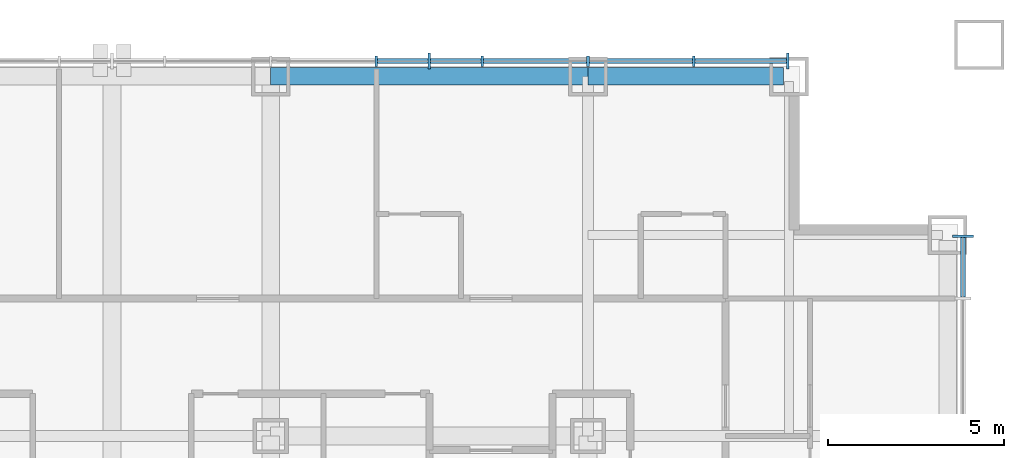
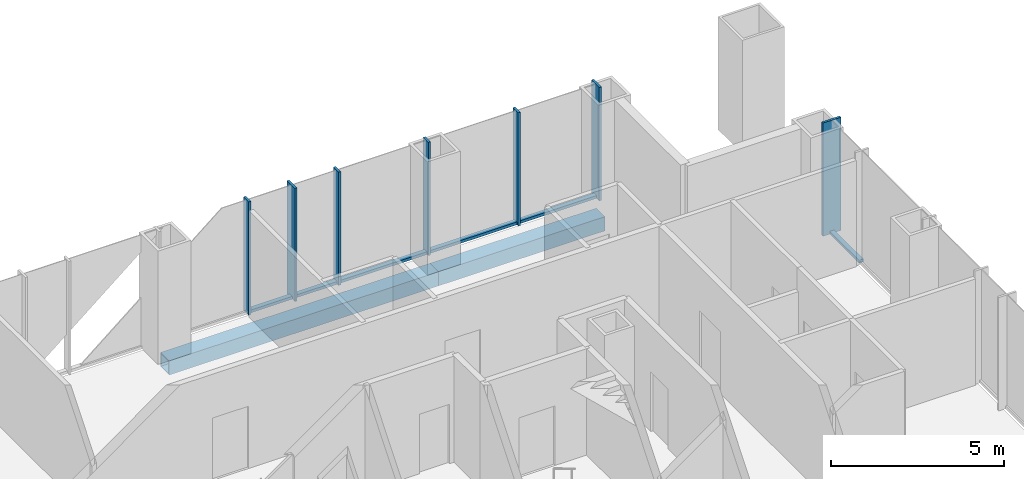
# One storey, part 6 of 17: 13 members, 2 beams, 2 elements without a shape of their own.
"""IFC4 building model written with IfcOpenShell, lengths in metres."""

import ifcopenshell
import ifcopenshell.guid

model = None  # the IFC model being written
_history = None  # IfcOwnerHistory: only IFC2X3 demands one
_inside = {}  # id of a spatial element -> (the spatial element, [elements in it])
_under = {}  # id of a project, library or spatial element -> (it, [spatial elements below it])
_declared = {}  # id of a project -> (the project, [libraries it declares])
_typed = {}  # id of a type object -> (the type object, [elements of that type])
_made_of = {}  # id of a material, layer set ... -> (it, [elements and type objects made of it])


def new_model(schema):
    """Start an empty IFC model of exactly this schema.

    Asked for "IFC4X3", IfcOpenShell would pick the latest addendum, in which some entities
    have other attributes; the version numbers below select the first issue.
    IFC2X3 requires an IfcOwnerHistory on every rooted entity: one is made here for all.
    """
    global model, _history
    if schema == "IFC4X3":
        model = ifcopenshell.file(schema_version=(4, 3, 0, 0))
    else:
        model = ifcopenshell.file(schema=schema)
    _inside.clear()
    _under.clear()
    _declared.clear()
    _typed.clear()
    _made_of.clear()
    _history = None
    if model.schema == "IFC2X3":
        org = make("IfcOrganization", Name="unknown")
        user = make(
            "IfcPersonAndOrganization",
            ThePerson=make("IfcPerson", FamilyName="unknown"),
            TheOrganization=org,
        )
        app = make(
            "IfcApplication",
            ApplicationDeveloper=org,
            Version="unknown",
            ApplicationFullName="unknown",
            ApplicationIdentifier="unknown",
        )
        _history = make(
            "IfcOwnerHistory",
            OwningUser=user,
            OwningApplication=app,
            ChangeAction="ADDED",
            CreationDate=0,
        )
    return model


def make(cls, **values):
    """One entity of the class cls with the attributes given. An attribute that is None is left unset."""
    return model.create_entity(
        cls, **{name: value for name, value in values.items() if value is not None}
    )


def rooted(cls, **values):
    """An entity with a GlobalId (a new one), such as an element, a storey or a relation."""
    return make(cls, GlobalId=ifcopenshell.guid.new(), OwnerHistory=_history, **values)


def si_unit(unit_type, name, prefix=None):
    """IfcSIUnit, for example si_unit("LENGTHUNIT", "METRE", prefix="MILLI")."""
    return make("IfcSIUnit", UnitType=unit_type, Prefix=prefix, Name=name)


def assignment(units):
    """IfcUnitAssignment: the units of a project."""
    return None if units is None else make("IfcUnitAssignment", Units=units)


def point(xyz):
    """IfcCartesianPoint."""
    return None if xyz is None else make("IfcCartesianPoint", Coordinates=xyz)


def direction(xyz):
    """IfcDirection."""
    return None if xyz is None else make("IfcDirection", DirectionRatios=xyz)


def frame(location, z_axis=None, x_axis=None):
    """IfcAxis2Placement3D, a coordinate frame: its origin and axes. An axis left out is left unset."""
    return make(
        "IfcAxis2Placement3D",
        Location=point(location),
        Axis=direction(z_axis),
        RefDirection=direction(x_axis),
    )


def frame_2d(location, x_axis=None):
    """IfcAxis2Placement2D, a coordinate frame in the plane: its origin and x axis."""
    return make(
        "IfcAxis2Placement2D", Location=point(location), RefDirection=direction(x_axis)
    )


def origin():
    """The frame at (0, 0, 0) with its axes left unset."""
    return frame((0.0, 0.0, 0.0))


def origin_2d():
    """The frame at (0, 0) in the plane with its x axis left unset."""
    return frame_2d((0.0, 0.0))


def place(relative_to, where):
    """IfcLocalPlacement: puts the frame where relative to a parent placement (None: the world)."""
    return make(
        "IfcLocalPlacement", PlacementRelTo=relative_to, RelativePlacement=where
    )


def context(
    kind, dimensions, precision=None, world=None, true_north=None, identifier=None
):
    """IfcGeometricRepresentationContext, for example the 3D "Model" context."""
    return make(
        "IfcGeometricRepresentationContext",
        ContextIdentifier=identifier,
        ContextType=kind,
        CoordinateSpaceDimension=dimensions,
        Precision=precision,
        WorldCoordinateSystem=world,
        TrueNorth=true_north,
    )


def subcontext(parent, identifier, kind, view, scale=None):
    """IfcGeometricRepresentationSubContext, for example "Body" below "Model"."""
    return make(
        "IfcGeometricRepresentationSubContext",
        ContextIdentifier=identifier,
        ContextType=kind,
        ParentContext=parent,
        TargetScale=scale,
        TargetView=view,
    )


def project(units=None, contexts=None):
    """IfcProject with its units and contexts."""
    return rooted(
        "IfcProject",
        Name="project",
        RepresentationContexts=contexts,
        UnitsInContext=assignment(units),
    )


def spatial(cls, under=None, at=None, **own):
    """A site, building, storey or space (cls), placed at a placement, below another one or the project."""
    s = rooted(cls, ObjectPlacement=at, **own)
    if under is not None:
        _under.setdefault(under.id(), (under, []))[1].append(s)
    return s


def profile(cls, at=None, kind="AREA", **sizes):
    """A parametric profile (cls). Its sizes go by their IFC names, for example OverallWidth=200.0."""
    return make(cls, ProfileType=kind, Position=at, **sizes)


def rectangle(**sizes):
    """IfcRectangleProfileDef."""
    return profile("IfcRectangleProfileDef", **sizes)


def hollow_rectangle(**sizes):
    """IfcRectangleHollowProfileDef."""
    return profile("IfcRectangleHollowProfileDef", **sizes)


def extrude(swept, where, along, depth):
    """IfcExtrudedAreaSolid: the profile swept, set in the frame where, extruded along a direction by depth."""
    return make(
        "IfcExtrudedAreaSolid",
        SweptArea=swept,
        Position=where,
        ExtrudedDirection=direction(along),
        Depth=depth,
    )


def shape(context_of_items, identifier, shape_type, items):
    """IfcShapeRepresentation: the items that make up one representation, for example the "Body"."""
    return make(
        "IfcShapeRepresentation",
        ContextOfItems=context_of_items,
        RepresentationIdentifier=identifier,
        RepresentationType=shape_type,
        Items=items,
    )


def material(Name=None, Category=None):
    """IfcMaterial."""
    return make("IfcMaterial", Name=Name, Category=Category)


def layer(
    of_material, thickness, ventilated=None, Name=None, Category=None, Priority=None
):
    """IfcMaterialLayer: one layer of a wall or slab, of a material (None: an air gap)."""
    return make(
        "IfcMaterialLayer",
        Material=of_material,
        LayerThickness=thickness,
        IsVentilated=ventilated,
        Name=Name,
        Category=Category,
        Priority=Priority,
    )


def layer_set(layers, Name=None):
    """IfcMaterialLayerSet."""
    return make("IfcMaterialLayerSet", MaterialLayers=layers, LayerSetName=Name)


def material_profile(
    of_material, cross_section, Name=None, Category=None, Priority=None
):
    """IfcMaterialProfile: a cross section and its material."""
    return make(
        "IfcMaterialProfile",
        Name=Name,
        Material=of_material,
        Profile=cross_section,
        Priority=Priority,
        Category=Category,
    )


def profile_set(profiles, Name=None, composite=None):
    """IfcMaterialProfileSet."""
    return make(
        "IfcMaterialProfileSet",
        Name=Name,
        MaterialProfiles=profiles,
        CompositeProfile=composite,
    )


def made_of(thing, what):
    """Note that an element or type object is made of a material, layer set ...; save() writes the relation."""
    if what is not None:
        _made_of.setdefault(what.id(), (what, []))[1].append(thing)
    return thing


def type_object(cls, material=None, **own):
    """A type object (cls), such as IfcWallType, which elements share."""
    return made_of(rooted(cls, **own), material)


def element(
    cls,
    number,
    at=None,
    inside=None,
    cuts=None,
    type_object=None,
    material=None,
    context=None,
    identifier="Body",
    shape_type=None,
    held_by="IfcProductDefinitionShape",
    body=None,
    shapes=None,
    **own,
):
    """One element of the class cls, such as IfcWall. Its Tag is "e" and its number.

    at: its placement. inside: the storey or other place that contains it. cuts: it is an
    opening in that element (IfcRelVoidsElement). A single representation is given by context,
    identifier, shape_type and body (its items); several are given by shapes. held_by: the class
    of the entity that holds the representations. save() writes the other relations.
    """
    e = rooted(cls, Tag="e%d" % number, ObjectPlacement=at, **own)
    if body is not None:
        shapes = [shape(context, identifier, shape_type, body)]
    if shapes is not None:
        e.Representation = make(held_by, Representations=shapes)
    if inside is not None:
        _inside.setdefault(inside.id(), (inside, []))[1].append(e)
    if cuts is not None:
        rooted(
            "IfcRelVoidsElement", RelatingBuildingElement=cuts, RelatedOpeningElement=e
        )
    if type_object is not None:
        _typed.setdefault(type_object.id(), (type_object, []))[1].append(e)
    return made_of(e, material)


def aggregate(whole, parts):
    """IfcRelAggregates: a whole, such as a stair, and the parts it consists of."""
    return rooted("IfcRelAggregates", RelatingObject=whole, RelatedObjects=parts)


def save(model, path):
    """Write the relations noted so far, then the file.

    IfcRelAggregates (storeys below a building ...), IfcRelContainedInSpatialStructure (elements
    in a storey), IfcRelDefinesByType, IfcRelAssociatesMaterial and IfcRelDeclares: one each for
    every whole, place, type object, material and project.
    """
    for whole, parts in _under.values():
        aggregate(whole, parts)
    for where, things in _inside.values():
        rooted(
            "IfcRelContainedInSpatialStructure",
            RelatedElements=things,
            RelatingStructure=where,
        )
    for kind, things in _typed.values():
        rooted("IfcRelDefinesByType", RelatedObjects=things, RelatingType=kind)
    for what, things in _made_of.values():
        rooted("IfcRelAssociatesMaterial", RelatedObjects=things, RelatingMaterial=what)
    for by, libraries in _declared.values():
        rooted("IfcRelDeclares", RelatingContext=by, RelatedDefinitions=libraries)
    model.write(path)


model = new_model("IFC4")

# Units and contexts
model_context = context("Model", 3, precision=1e-05, world=origin(), true_north=direction((0.0, 1.0)))
body_context = subcontext(model_context, "Body", "Model", "MODEL_VIEW")
ifc_project = project(units=[si_unit("LENGTHUNIT", "METRE"), si_unit("AREAUNIT", "SQUARE_METRE"), si_unit("VOLUMEUNIT", "CUBIC_METRE"), si_unit("PLANEANGLEUNIT", "RADIAN"), si_unit("MASSUNIT", "GRAM", prefix="KILO")], contexts=[model_context])

# Site, building, storey
site_placement = place(None, origin())
site = spatial("IfcSite", under=ifc_project, at=site_placement, CompositionType="ELEMENT")
building_placement = place(site_placement, origin())
building = spatial("IfcBuilding", under=site, at=building_placement, Name="Malebo Sky Hospital", CompositionType="ELEMENT")
storey_placement = place(building_placement, frame((0.0, 0.0, 120.0)))
storey = spatial("IfcBuildingStorey", under=building, at=storey_placement, Name="L28", CompositionType="ELEMENT", Elevation=120.0)

# Curtain wall, members
ifc_material_1 = material(Name="Anodised aluminium, natural silver", Category="aluminium")
ifc_layer_1 = layer(ifc_material_1, 0.25)
ifc_layer_set_1 = layer_set([ifc_layer_1], Name="WARD CURTAIN WALL NORTH AND SOUTH")
curtain_wall_type_1 = type_object("IfcCurtainWallType", Name="WARD CURTAIN WALL NORTH AND SOUTH", PredefinedType="NOTDEFINED", material=ifc_layer_set_1)
curtain_wall_1_placement = place(storey_placement, origin())
curtain_wall_1 = element("IfcCurtainWall", 1, at=curtain_wall_1_placement, inside=storey, type_object=curtain_wall_type_1, Name="NS curtain wall N", PredefinedType="NOTDEFINED")
ifc_material_profile_1 = material_profile(ifc_material_1, rectangle(XDim=0.14990234375, YDim=0.10009765625, at=origin_2d()), Name="ALUMINIUM TRANSOM 150x100")
ifc_profile_set_1 = profile_set([ifc_material_profile_1], Name="Anodised aluminium, natural silver")
member_type_1 = type_object("IfcMemberType", Name="ALUMINIUM TRANSOM 150x100", PredefinedType="USERDEFINED", material=ifc_profile_set_1)
member_1_placement = place(storey_placement, frame((67.53759765625, 86.135009765625, 0.050048828125), z_axis=(1.0, 0.0, 0.0), x_axis=(0.0, 1.0, 0.0)))
member_1 = element("IfcMember", 2, at=member_1_placement, type_object=member_type_1, Name="Transom 12", ObjectType="TRANSOM", PredefinedType="USERDEFINED", context=body_context, shape_type="SweptSolid", body=[
    extrude(rectangle(XDim=0.14990234375, YDim=0.10009765625, at=origin_2d()), origin(), (0.0, 0.0, 1.0), 1.4248046875),
])
member_2_placement = place(storey_placement, frame((69.03759765625, 86.135009765625, 0.050048828125), z_axis=(1.0, 0.0, 0.0), x_axis=(0.0, 1.0, 0.0)))
member_2 = element("IfcMember", 3, at=member_2_placement, type_object=member_type_1, Name="Transom 13", ObjectType="TRANSOM", PredefinedType="USERDEFINED", context=body_context, shape_type="SweptSolid", body=[
    extrude(rectangle(XDim=0.14990234375, YDim=0.10009765625, at=origin_2d()), origin(), (0.0, 0.0, 1.0), 1.4248046875),
])
member_3_placement = place(storey_placement, frame((70.53759765625, 86.135009765625, 0.050048828125), z_axis=(1.0, 0.0, 0.0), x_axis=(0.0, 1.0, 0.0)))
member_3 = element("IfcMember", 4, at=member_3_placement, type_object=member_type_1, Name="Transom 14", ObjectType="TRANSOM", PredefinedType="USERDEFINED", context=body_context, shape_type="SweptSolid", body=[
    extrude(rectangle(XDim=0.14990234375, YDim=0.10009765625, at=origin_2d()), origin(), (0.0, 0.0, 1.0), 2.9248046875),
])
member_4_placement = place(storey_placement, frame((73.53759765625, 86.135009765625, 0.050048828125), z_axis=(1.0, 0.0, 0.0), x_axis=(0.0, 1.0, 0.0)))
member_4 = element("IfcMember", 5, at=member_4_placement, type_object=member_type_1, Name="Transom 15", ObjectType="TRANSOM", PredefinedType="USERDEFINED", context=body_context, shape_type="SweptSolid", body=[
    extrude(rectangle(XDim=0.14990234375, YDim=0.10009765625, at=origin_2d()), origin(), (0.0, 0.0, 1.0), 2.9248046875),
])
member_5_placement = place(storey_placement, frame((76.53759765625, 86.135009765625, 0.050048828125), z_axis=(1.0, 0.0, 0.0), x_axis=(0.0, 1.0, 0.0)))
member_5 = element("IfcMember", 6, at=member_5_placement, type_object=member_type_1, Name="Transom 16", ObjectType="TRANSOM", PredefinedType="USERDEFINED", context=body_context, shape_type="SweptSolid", body=[
    extrude(rectangle(XDim=0.14990234375, YDim=0.10009765625, at=origin_2d()), origin(), (0.0, 0.0, 1.0), 2.58740234375),
])

# Curtain wall, member
ifc_layer_2 = layer(ifc_material_1, 0.25)
ifc_layer_set_2 = layer_set([ifc_layer_2], Name="WARD CURTAIN WALL EAST AND WEST")
curtain_wall_type_2 = type_object("IfcCurtainWallType", Name="WARD CURTAIN WALL EAST AND WEST", PredefinedType="NOTDEFINED", material=ifc_layer_set_2)
curtain_wall_2_placement = place(storey_placement, origin())
curtain_wall_2 = element("IfcCurtainWall", 7, at=curtain_wall_2_placement, inside=storey, type_object=curtain_wall_type_2, Name="EW curtain wall E", PredefinedType="NOTDEFINED")
member_6_placement = place(storey_placement, frame((84.135009765625, 81.125, 0.050048828125), z_axis=(0.0, -1.0, 0.0), x_axis=(1.0, 0.0, 0.0)))
member_6 = element("IfcMember", 8, at=member_6_placement, type_object=member_type_1, Name="Transom 1", ObjectType="TRANSOM", PredefinedType="USERDEFINED", context=body_context, shape_type="SweptSolid", body=[
    extrude(rectangle(XDim=0.14990234375, YDim=0.10009765625, at=origin_2d()), origin(), (0.0, 0.0, 1.0), 1.6875),
])

# Member
ifc_material_profile_2 = material_profile(ifc_material_1, rectangle(XDim=0.074951171875, YDim=0.300048828125, at=origin_2d()), Name="CW1 ALUMINIUM FIN MULLION 75x300")
ifc_profile_set_2 = profile_set([ifc_material_profile_2], Name="Anodised aluminium, natural silver")
member_type_2 = type_object("IfcMemberType", Name="CW1 ALUMINIUM FIN MULLION 75x300", PredefinedType="MULLION", material=ifc_profile_set_2)
member_7_placement = place(storey_placement, frame((67.5, 86.135009765625, 0.0), z_axis=(0.0, 0.0, 1.0), x_axis=(1.0, 0.0, 0.0)))
member_7 = element("IfcMember", 9, at=member_7_placement, type_object=member_type_2, Name="Fin mullion 12", PredefinedType="MULLION", context=body_context, shape_type="SweptSolid", body=[
    extrude(rectangle(XDim=0.074951171875, YDim=0.300048828125, at=origin_2d()), origin(), (0.0, 0.0, 1.0), 4.0),
])

member_8_placement = place(storey_placement, frame((70.5, 86.135009765625, 0.0), z_axis=(0.0, 0.0, 1.0), x_axis=(1.0, 0.0, 0.0)))
member_8 = element("IfcMember", 10, at=member_8_placement, type_object=member_type_2, Name="Fin mullion 14", PredefinedType="MULLION", context=body_context, shape_type="SweptSolid", body=[
    extrude(rectangle(XDim=0.074951171875, YDim=0.300048828125, at=origin_2d()), origin(), (0.0, 0.0, 1.0), 4.0),
])

member_9_placement = place(storey_placement, frame((73.5, 86.135009765625, 0.0), z_axis=(0.0, 0.0, 1.0), x_axis=(1.0, 0.0, 0.0)))
member_9 = element("IfcMember", 11, at=member_9_placement, type_object=member_type_2, Name="Fin mullion 15", PredefinedType="MULLION", context=body_context, shape_type="SweptSolid", body=[
    extrude(rectangle(XDim=0.074951171875, YDim=0.300048828125, at=origin_2d()), origin(), (0.0, 0.0, 1.0), 4.0),
])

member_10_placement = place(storey_placement, frame((76.5, 86.135009765625, 0.0), z_axis=(0.0, 0.0, 1.0), x_axis=(1.0, 0.0, 0.0)))
member_10 = element("IfcMember", 12, at=member_10_placement, type_object=member_type_2, Name="Fin mullion 16", PredefinedType="MULLION", context=body_context, shape_type="SweptSolid", body=[
    extrude(rectangle(XDim=0.074951171875, YDim=0.300048828125, at=origin_2d()), origin(), (0.0, 0.0, 1.0), 4.0),
])

ifc_material_profile_3 = material_profile(ifc_material_1, rectangle(XDim=0.074951171875, YDim=0.449951171875, at=origin_2d()), Name="CW1 ALUMINIUM FIN MULLION 75x450")
ifc_profile_set_3 = profile_set([ifc_material_profile_3], Name="Anodised aluminium, natural silver")
member_type_3 = type_object("IfcMemberType", Name="CW1 ALUMINIUM FIN MULLION 75x450", PredefinedType="MULLION", material=ifc_profile_set_3)
member_11_placement = place(storey_placement, frame((69.0, 86.135009765625, 0.0), z_axis=(0.0, 0.0, 1.0), x_axis=(1.0, 0.0, 0.0)))
member_11 = element("IfcMember", 13, at=member_11_placement, type_object=member_type_3, Name="Fin mullion 13", PredefinedType="MULLION", context=body_context, shape_type="SweptSolid", body=[
    extrude(rectangle(XDim=0.074951171875, YDim=0.449951171875, at=origin_2d()), origin(), (0.0, 0.0, 1.0), 4.0),
])

member_12_placement = place(storey_placement, frame((79.16259765625, 86.135009765625, 0.0), z_axis=(0.0, 0.0, 1.0), x_axis=(1.0, 0.0, 0.0)))
member_12 = element("IfcMember", 14, at=member_12_placement, type_object=member_type_3, Name="Fin mullion 17", PredefinedType="MULLION", context=body_context, shape_type="SweptSolid", body=[
    extrude(rectangle(XDim=0.074951171875, YDim=0.449951171875, at=origin_2d()), origin(), (0.0, 0.0, 1.0), 4.0),
])

aggregate(curtain_wall_1, [member_7, member_11, member_8, member_9, member_10, member_12, member_1, member_2, member_3, member_4, member_5])

ifc_material_profile_4 = material_profile(ifc_material_1, rectangle(XDim=0.074951171875, YDim=0.60009765625, at=origin_2d()), Name="CW2 ALUMINIUM FIN MULLION 75x600")
ifc_profile_set_4 = profile_set([ifc_material_profile_4], Name="Anodised aluminium, natural silver")
member_type_4 = type_object("IfcMemberType", Name="CW2 ALUMINIUM FIN MULLION 75x600", PredefinedType="MULLION", material=ifc_profile_set_4)
member_13_placement = place(storey_placement, frame((84.135009765625, 81.16259765625, 0.0), z_axis=(0.0, 0.0, 1.0), x_axis=(0.0, -1.0, 0.0)))
member_13 = element("IfcMember", 15, at=member_13_placement, type_object=member_type_4, Name="Fin mullion 1", PredefinedType="MULLION", context=body_context, shape_type="SweptSolid", body=[
    extrude(rectangle(XDim=0.074951171875, YDim=0.60009765625, at=origin_2d()), origin(), (0.0, 0.0, 1.0), 4.0),
])

aggregate(curtain_wall_2, [member_13, member_6])

# Beams
ifc_material_2 = material(Name="Steel S460", Category="steel")
ifc_material_profile_5 = material_profile(ifc_material_2, hollow_rectangle(XDim=0.5, YDim=0.5, WallThickness=0.030029296875, at=origin_2d()), Name="BOX 500x500x30")
ifc_profile_set_5 = profile_set([ifc_material_profile_5], Name="Steel S460")
beam_type = type_object("IfcBeamType", Name="EDGE BEAM BOX 500x500x30", PredefinedType="BEAM", material=ifc_profile_set_5)
beam_1_placement = place(storey_placement, frame((64.5, 85.699951171875, -0.5), z_axis=(1.0, 0.0, 0.0), x_axis=(0.0, 1.0, 0.0)))
element("IfcBeam", 16, at=beam_1_placement, inside=storey, type_object=beam_type, Name="Beam 066 L28", PredefinedType="BEAM", context=body_context, shape_type="SweptSolid", body=[
    extrude(hollow_rectangle(XDim=0.5, YDim=0.5, WallThickness=0.030029296875, at=origin_2d()), origin(), (0.0, 0.0, 1.0), 9.0),
])
beam_2_placement = place(storey_placement, frame((73.5, 85.699951171875, -0.5), z_axis=(1.0, 0.0, 0.0), x_axis=(0.0, 1.0, 0.0)))
element("IfcBeam", 17, at=beam_2_placement, inside=storey, type_object=beam_type, Name="Beam 067 L28", PredefinedType="BEAM", context=body_context, shape_type="SweptSolid", body=[
    extrude(hollow_rectangle(XDim=0.5, YDim=0.5, WallThickness=0.030029296875, at=origin_2d()), origin(), (0.0, 0.0, 1.0), 5.550048828125),
])

save(model, "model.ifc")
